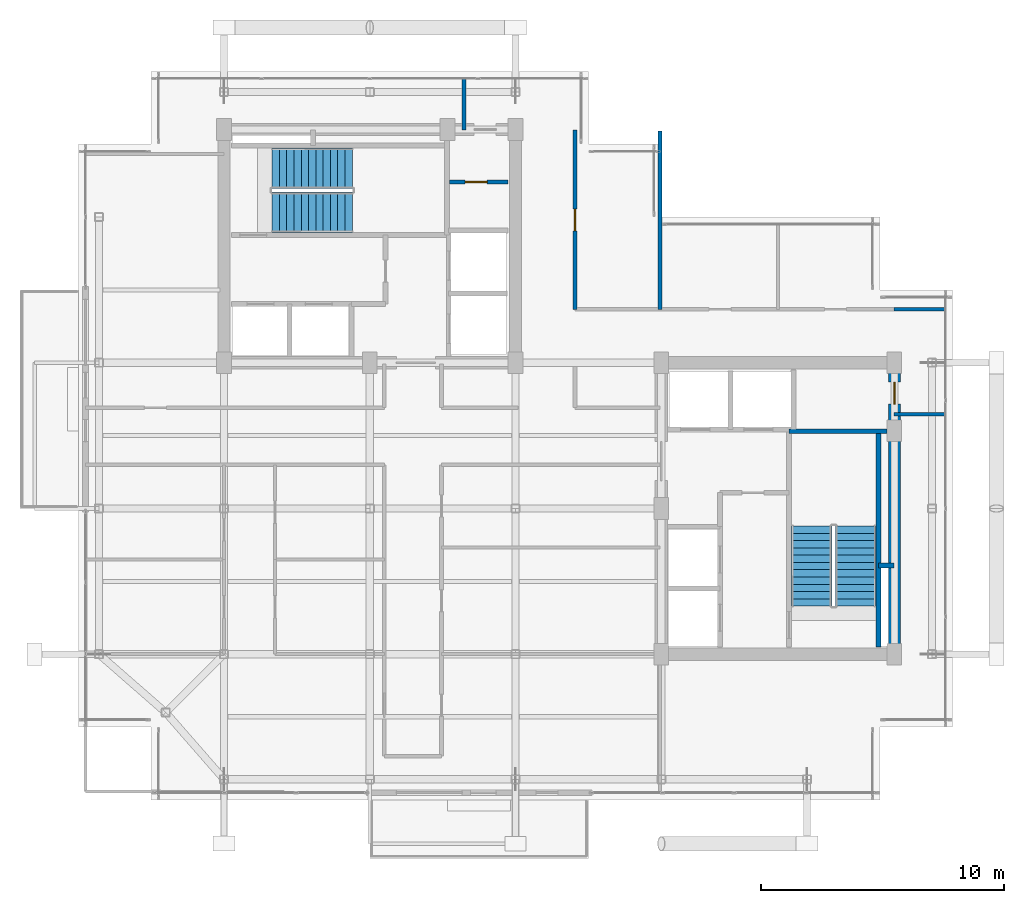
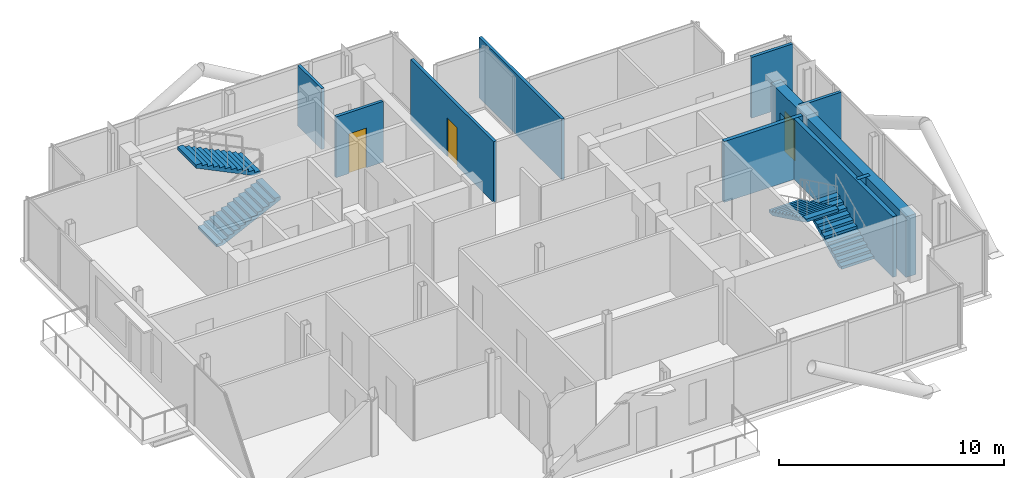
# One storey, part 16 of 18: 10 walls, 4 stair flights, 3 doors, 3 openings, 2 elements without a shape of their own.
"""IFC4 building model written with IfcOpenShell, lengths in metres."""

import ifcopenshell
import ifcopenshell.guid

model = None  # the IFC model being written
_history = None  # IfcOwnerHistory: only IFC2X3 demands one
_inside = {}  # id of a spatial element -> (the spatial element, [elements in it])
_under = {}  # id of a project, library or spatial element -> (it, [spatial elements below it])
_declared = {}  # id of a project -> (the project, [libraries it declares])
_typed = {}  # id of a type object -> (the type object, [elements of that type])
_made_of = {}  # id of a material, layer set ... -> (it, [elements and type objects made of it])


def new_model(schema):
    """Start an empty IFC model of exactly this schema.

    Asked for "IFC4X3", IfcOpenShell would pick the latest addendum, in which some entities
    have other attributes; the version numbers below select the first issue.
    IFC2X3 requires an IfcOwnerHistory on every rooted entity: one is made here for all.
    """
    global model, _history
    if schema == "IFC4X3":
        model = ifcopenshell.file(schema_version=(4, 3, 0, 0))
    else:
        model = ifcopenshell.file(schema=schema)
    _inside.clear()
    _under.clear()
    _declared.clear()
    _typed.clear()
    _made_of.clear()
    _history = None
    if model.schema == "IFC2X3":
        org = make("IfcOrganization", Name="unknown")
        user = make(
            "IfcPersonAndOrganization",
            ThePerson=make("IfcPerson", FamilyName="unknown"),
            TheOrganization=org,
        )
        app = make(
            "IfcApplication",
            ApplicationDeveloper=org,
            Version="unknown",
            ApplicationFullName="unknown",
            ApplicationIdentifier="unknown",
        )
        _history = make(
            "IfcOwnerHistory",
            OwningUser=user,
            OwningApplication=app,
            ChangeAction="ADDED",
            CreationDate=0,
        )
    return model


def make(cls, **values):
    """One entity of the class cls with the attributes given. An attribute that is None is left unset."""
    return model.create_entity(
        cls, **{name: value for name, value in values.items() if value is not None}
    )


def rooted(cls, **values):
    """An entity with a GlobalId (a new one), such as an element, a storey or a relation."""
    return make(cls, GlobalId=ifcopenshell.guid.new(), OwnerHistory=_history, **values)


def si_unit(unit_type, name, prefix=None):
    """IfcSIUnit, for example si_unit("LENGTHUNIT", "METRE", prefix="MILLI")."""
    return make("IfcSIUnit", UnitType=unit_type, Prefix=prefix, Name=name)


def assignment(units):
    """IfcUnitAssignment: the units of a project."""
    return None if units is None else make("IfcUnitAssignment", Units=units)


def point(xyz):
    """IfcCartesianPoint."""
    return None if xyz is None else make("IfcCartesianPoint", Coordinates=xyz)


def direction(xyz):
    """IfcDirection."""
    return None if xyz is None else make("IfcDirection", DirectionRatios=xyz)


def frame(location, z_axis=None, x_axis=None):
    """IfcAxis2Placement3D, a coordinate frame: its origin and axes. An axis left out is left unset."""
    return make(
        "IfcAxis2Placement3D",
        Location=point(location),
        Axis=direction(z_axis),
        RefDirection=direction(x_axis),
    )


def frame_2d(location, x_axis=None):
    """IfcAxis2Placement2D, a coordinate frame in the plane: its origin and x axis."""
    return make(
        "IfcAxis2Placement2D", Location=point(location), RefDirection=direction(x_axis)
    )


def origin():
    """The frame at (0, 0, 0) with its axes left unset."""
    return frame((0.0, 0.0, 0.0))


def place(relative_to, where):
    """IfcLocalPlacement: puts the frame where relative to a parent placement (None: the world)."""
    return make(
        "IfcLocalPlacement", PlacementRelTo=relative_to, RelativePlacement=where
    )


def context(
    kind, dimensions, precision=None, world=None, true_north=None, identifier=None
):
    """IfcGeometricRepresentationContext, for example the 3D "Model" context."""
    return make(
        "IfcGeometricRepresentationContext",
        ContextIdentifier=identifier,
        ContextType=kind,
        CoordinateSpaceDimension=dimensions,
        Precision=precision,
        WorldCoordinateSystem=world,
        TrueNorth=true_north,
    )


def subcontext(parent, identifier, kind, view, scale=None):
    """IfcGeometricRepresentationSubContext, for example "Body" below "Model"."""
    return make(
        "IfcGeometricRepresentationSubContext",
        ContextIdentifier=identifier,
        ContextType=kind,
        ParentContext=parent,
        TargetScale=scale,
        TargetView=view,
    )


def project(units=None, contexts=None):
    """IfcProject with its units and contexts."""
    return rooted(
        "IfcProject",
        Name="project",
        RepresentationContexts=contexts,
        UnitsInContext=assignment(units),
    )


def spatial(cls, under=None, at=None, **own):
    """A site, building, storey or space (cls), placed at a placement, below another one or the project."""
    s = rooted(cls, ObjectPlacement=at, **own)
    if under is not None:
        _under.setdefault(under.id(), (under, []))[1].append(s)
    return s


def polyline(points):
    """IfcPolyline through the points."""
    return make("IfcPolyline", Points=[point(p) for p in points])


def profile(cls, at=None, kind="AREA", **sizes):
    """A parametric profile (cls). Its sizes go by their IFC names, for example OverallWidth=200.0."""
    return make(cls, ProfileType=kind, Position=at, **sizes)


def rectangle(**sizes):
    """IfcRectangleProfileDef."""
    return profile("IfcRectangleProfileDef", **sizes)


def outline(outer, holes=None, kind="AREA"):
    """IfcArbitraryClosedProfileDef: a profile drawn as a closed curve; with holes, ...WithVoids."""
    if holes is None:
        return make("IfcArbitraryClosedProfileDef", ProfileType=kind, OuterCurve=outer)
    return make(
        "IfcArbitraryProfileDefWithVoids",
        ProfileType=kind,
        OuterCurve=outer,
        InnerCurves=holes,
    )


def extrude(swept, where, along, depth):
    """IfcExtrudedAreaSolid: the profile swept, set in the frame where, extruded along a direction by depth."""
    return make(
        "IfcExtrudedAreaSolid",
        SweptArea=swept,
        Position=where,
        ExtrudedDirection=direction(along),
        Depth=depth,
    )


def shape(context_of_items, identifier, shape_type, items):
    """IfcShapeRepresentation: the items that make up one representation, for example the "Body"."""
    return make(
        "IfcShapeRepresentation",
        ContextOfItems=context_of_items,
        RepresentationIdentifier=identifier,
        RepresentationType=shape_type,
        Items=items,
    )


def material(Name=None, Category=None):
    """IfcMaterial."""
    return make("IfcMaterial", Name=Name, Category=Category)


def layer(
    of_material, thickness, ventilated=None, Name=None, Category=None, Priority=None
):
    """IfcMaterialLayer: one layer of a wall or slab, of a material (None: an air gap)."""
    return make(
        "IfcMaterialLayer",
        Material=of_material,
        LayerThickness=thickness,
        IsVentilated=ventilated,
        Name=Name,
        Category=Category,
        Priority=Priority,
    )


def layer_set(layers, Name=None):
    """IfcMaterialLayerSet."""
    return make("IfcMaterialLayerSet", MaterialLayers=layers, LayerSetName=Name)


def made_of(thing, what):
    """Note that an element or type object is made of a material, layer set ...; save() writes the relation."""
    if what is not None:
        _made_of.setdefault(what.id(), (what, []))[1].append(thing)
    return thing


def type_object(cls, material=None, **own):
    """A type object (cls), such as IfcWallType, which elements share."""
    return made_of(rooted(cls, **own), material)


def element(
    cls,
    number,
    at=None,
    inside=None,
    cuts=None,
    type_object=None,
    material=None,
    context=None,
    identifier="Body",
    shape_type=None,
    held_by="IfcProductDefinitionShape",
    body=None,
    shapes=None,
    **own,
):
    """One element of the class cls, such as IfcWall. Its Tag is "e" and its number.

    at: its placement. inside: the storey or other place that contains it. cuts: it is an
    opening in that element (IfcRelVoidsElement). A single representation is given by context,
    identifier, shape_type and body (its items); several are given by shapes. held_by: the class
    of the entity that holds the representations. save() writes the other relations.
    """
    e = rooted(cls, Tag="e%d" % number, ObjectPlacement=at, **own)
    if body is not None:
        shapes = [shape(context, identifier, shape_type, body)]
    if shapes is not None:
        e.Representation = make(held_by, Representations=shapes)
    if inside is not None:
        _inside.setdefault(inside.id(), (inside, []))[1].append(e)
    if cuts is not None:
        rooted(
            "IfcRelVoidsElement", RelatingBuildingElement=cuts, RelatedOpeningElement=e
        )
    if type_object is not None:
        _typed.setdefault(type_object.id(), (type_object, []))[1].append(e)
    return made_of(e, material)


def fill(opening, filler):
    """IfcRelFillsElement: the door or window that sits in an opening."""
    return rooted(
        "IfcRelFillsElement",
        RelatingOpeningElement=opening,
        RelatedBuildingElement=filler,
    )


def aggregate(whole, parts):
    """IfcRelAggregates: a whole, such as a stair, and the parts it consists of."""
    return rooted("IfcRelAggregates", RelatingObject=whole, RelatedObjects=parts)


def save(model, path):
    """Write the relations noted so far, then the file.

    IfcRelAggregates (storeys below a building ...), IfcRelContainedInSpatialStructure (elements
    in a storey), IfcRelDefinesByType, IfcRelAssociatesMaterial and IfcRelDeclares: one each for
    every whole, place, type object, material and project.
    """
    for whole, parts in _under.values():
        aggregate(whole, parts)
    for where, things in _inside.values():
        rooted(
            "IfcRelContainedInSpatialStructure",
            RelatedElements=things,
            RelatingStructure=where,
        )
    for kind, things in _typed.values():
        rooted("IfcRelDefinesByType", RelatedObjects=things, RelatingType=kind)
    for what, things in _made_of.values():
        rooted("IfcRelAssociatesMaterial", RelatedObjects=things, RelatingMaterial=what)
    for by, libraries in _declared.values():
        rooted("IfcRelDeclares", RelatingContext=by, RelatedDefinitions=libraries)
    model.write(path)


model = new_model("IFC4")

# Units and contexts
model_context = context("Model", 3, precision=1e-05, world=origin(), true_north=direction((0.0, 1.0)))
body_context = subcontext(model_context, "Body", "Model", "MODEL_VIEW")
ifc_project = project(units=[si_unit("LENGTHUNIT", "METRE"), si_unit("AREAUNIT", "SQUARE_METRE"), si_unit("VOLUMEUNIT", "CUBIC_METRE"), si_unit("PLANEANGLEUNIT", "RADIAN"), si_unit("MASSUNIT", "GRAM", prefix="KILO"), si_unit("THERMODYNAMICTEMPERATUREUNIT", "KELVIN"), si_unit("POWERUNIT", "WATT")], contexts=[model_context])

# Site, building, storey
site_placement = place(None, origin())
site = spatial("IfcSite", under=ifc_project, at=site_placement, CompositionType="ELEMENT")
building_placement = place(site_placement, origin())
building = spatial("IfcBuilding", under=site, at=building_placement, Name="Svarakhadi Broadcast Tower", CompositionType="ELEMENT")
storey_placement = place(building_placement, frame((0.0, 0.0, 264.199951171875)))
storey = spatial("IfcBuildingStorey", under=building, at=storey_placement, Name="L66", CompositionType="ELEMENT", Elevation=264.199951171875)

# Wall
ifc_material_1 = material(Name="Concrete C40/50 (IS 456 M50)", Category="concrete")
ifc_layer_1 = layer(ifc_material_1, 0.199951171875)
ifc_layer_set_1 = layer_set([ifc_layer_1], Name="Concrete C40/50 (IS 456 M50)")
wall_type_1 = type_object("IfcWallType", Name="Wall_Fire_200", PredefinedType="SOLIDWALL", material=ifc_layer_set_1)
wall_1_placement = place(storey_placement, frame((32.93994140625, 9.659912109375, 0.0), z_axis=(0.0, 0.0, 1.0), x_axis=(1.0, 0.0, 0.0)))
element("IfcWall", 1, at=wall_1_placement, inside=storey, type_object=wall_type_1, Name="L66 HV Busduct Riser Shaft North Wall", PredefinedType="SOLIDWALL", context=body_context, shape_type="SweptSolid", body=[
    extrude(rectangle(XDim=0.64013671875, YDim=0.199951171875, at=frame_2d((0.320068359375, 0.0))), origin(), (0.0, 0.0, 1.0), 3.300048828125),
])

# Wall, opening, door
ifc_material_2 = material(Name="Autoclaved Aerated Concrete Blockwork 150 mm", Category="masonry")
ifc_layer_2 = layer(ifc_material_2, 0.14990234375)
ifc_layer_set_2 = layer_set([ifc_layer_2], Name="Autoclaved Aerated Concrete Blockwork 150 mm")
wall_type_2 = type_object("IfcWallType", Name="Wall_Part_150", PredefinedType="PARTITIONING", material=ifc_layer_set_2)
wall_2_placement = place(storey_placement, frame((15.280029296875, 25.43994140625, 0.0), z_axis=(0.0, 0.0, 1.0), x_axis=(1.0, 0.0, 0.0)))
wall_2 = element("IfcWall", 2, at=wall_2_placement, inside=storey, type_object=wall_type_2, Name="L66 West Core Service Split Wall", PredefinedType="PARTITIONING", context=body_context, shape_type="SweptSolid", body=[
    extrude(rectangle(XDim=2.419921875, YDim=0.14990234375, at=frame_2d((1.2099609375, 0.0))), origin(), (0.0, 0.0, 1.0), 3.300048828125),
])
opening_1_placement = place(wall_2_placement, frame((0.64990234375, 0.0, 0.0)))
opening_1 = element("IfcOpeningElement", 3, at=opening_1_placement, cuts=wall_2, Name="Opening D-03", PredefinedType="OPENING", context=body_context, shape_type="SweptSolid", body=[
    extrude(rectangle(XDim=0.89990234375, YDim=2.14990234375, at=frame_2d((0.449951171875, 1.074951171875))), frame((0.0, 0.0849609375, 0.0), z_axis=(0.0, -1.0, 0.0), x_axis=(1.0, 0.0, 0.0)), (0.0, 0.0, 1.0), 0.169921875),
])
ifc_material_3 = material(Name="Galvanised Powder-Coated Fire-Rated Steel Leaf", Category="steel")
door_type_1 = type_object("IfcDoorType", Name="Door_Fire_D03", OperationType="SINGLE_SWING_LEFT", PredefinedType="DOOR", material=ifc_material_3)
door_1_placement = place(opening_1_placement, origin())
door_1 = element("IfcDoor", 4, at=door_1_placement, inside=storey, type_object=door_type_1, Name="L66 West Core Inner Store Door", OperationType="SINGLE_SWING_LEFT", OverallHeight=2.14990234375, OverallWidth=0.89990234375, PredefinedType="DOOR", context=body_context, shape_type="SweptSolid", body=[
    extrude(rectangle(XDim=0.89990234375, YDim=2.14990234375, at=frame_2d((0.449951171875, 1.074951171875))), frame((0.0, 0.02490234375, 0.0), z_axis=(0.0, -1.0, 0.0), x_axis=(1.0, 0.0, 0.0)), (0.0, 0.0, 1.0), 0.050048828125),
])
fill(opening_1, door_1)

# Wall
wall_3_placement = place(storey_placement, frame((15.8798828125, 27.580078125, 0.0), z_axis=(0.0, 0.0, 1.0), x_axis=(0.0, 1.0, 0.0)))
element("IfcWall", 5, at=wall_3_placement, inside=storey, type_object=wall_type_2, Name="L66 Upper Tower Concourse Wall", PredefinedType="PARTITIONING", context=body_context, shape_type="SweptSolid", body=[
    extrude(rectangle(XDim=2.119873046875, YDim=0.14990234375, at=frame_2d((1.06005859375, 0.0))), origin(), (0.0, 0.0, 1.0), 3.300048828125),
])

# Wall, opening, door
wall_4_placement = place(storey_placement, frame((20.449951171875, 27.580078125, 0.0), z_axis=(0.0, 0.0, 1.0), x_axis=(0.0, -1.0, 0.0)))
wall_4 = element("IfcWall", 6, at=wall_4_placement, inside=storey, type_object=wall_type_2, Name="L66 Upper Tower Concourse Wall", PredefinedType="PARTITIONING", context=body_context, shape_type="SweptSolid", body=[
    extrude(rectangle(XDim=7.380126953125, YDim=0.14990234375, at=frame_2d((3.68994140625, 0.0))), origin(), (0.0, 0.0, 1.0), 3.300048828125),
])
opening_2_placement = place(wall_4_placement, frame((3.2548828125, 0.0, 0.0)))
opening_2 = element("IfcOpeningElement", 7, at=opening_2_placement, cuts=wall_4, Name="Opening D-13", PredefinedType="OPENING", context=body_context, shape_type="SweptSolid", body=[
    extrude(rectangle(XDim=0.89990234375, YDim=2.10009765625, at=frame_2d((0.449951171875, 1.050048828125))), frame((0.0, 0.0849609375, 0.0), z_axis=(0.0, -1.0, 0.0), x_axis=(1.0, 0.0, 0.0)), (0.0, 0.0, 1.0), 0.169921875),
])
ifc_material_4 = material(Name="Solid-Core Teak Veneer Acoustic Timber Leaf", Category="wood")
door_type_2 = type_object("IfcDoorType", Name="Door_Closet_D13", OperationType="SINGLE_SWING_RIGHT", PredefinedType="DOOR", material=ifc_material_4)
door_2_placement = place(opening_2_placement, origin())
door_2 = element("IfcDoor", 8, at=door_2_placement, inside=storey, type_object=door_type_2, Name="L66 Accessible Visitor Washroom WC Door", OperationType="SINGLE_SWING_RIGHT", OverallHeight=2.10009765625, OverallWidth=0.89990234375, PredefinedType="DOOR", context=body_context, shape_type="SweptSolid", body=[
    extrude(rectangle(XDim=0.89990234375, YDim=2.10009765625, at=frame_2d((0.449951171875, 1.050048828125))), frame((0.0, 0.02490234375, 0.0), z_axis=(0.0, -1.0, 0.0), x_axis=(1.0, 0.0, 0.0)), (0.0, 0.0, 1.0), 0.050048828125),
])
fill(opening_2, door_2)

# Walls
for number, where, z_axis, x_axis, name in (
    (9, (33.580078125, 20.199951171875, 0.0), (0.0, 0.0, 1.0), (1.0, 0.0, 0.0), "L66 Upper Tower Concourse Wall"),
    (10, (35.699951171875, 15.8798828125, 0.0), (0.0, 0.0, 1.0), (-1.0, 0.0, 0.0), "L66 Upper Tower Concourse Wall"),
):
    element("IfcWall", number, at=place(storey_placement, frame(where, z_axis=z_axis, x_axis=x_axis)), inside=storey, type_object=wall_type_2, Name=name, PredefinedType="PARTITIONING", context=body_context, shape_type="SweptSolid", body=[
        extrude(rectangle(XDim=2.119873046875, YDim=0.14990234375, at=frame_2d((1.06005859375, 0.0))), origin(), (0.0, 0.0, 1.0), 3.300048828125),
    ])
wall_5_placement = place(storey_placement, frame((23.949951171875, 20.199951171875, 0.0), z_axis=(0.0, 0.0, 1.0), x_axis=(0.0, 1.0, 0.0)))
element("IfcWall", 11, at=wall_5_placement, inside=storey, type_object=wall_type_2, Name="L66 Accessible Visitor Washroom WC Wall", PredefinedType="PARTITIONING", context=body_context, shape_type="SweptSolid", body=[
    extrude(rectangle(XDim=7.35009765625, YDim=0.14990234375, at=frame_2d((3.675048828125, 0.0))), origin(), (0.0, 0.0, 1.0), 3.300048828125),
])
ifc_material_5 = material(Name="Concrete C50/60 (IS 456 M60)", Category="concrete")
ifc_layer_3 = layer(ifc_material_5, 0.199951171875)
ifc_layer_set_3 = layer_set([ifc_layer_3], Name="Concrete C50/60 (IS 456 M60)")
wall_type_3 = type_object("IfcWallType", Name="Wall_Shear_200", PredefinedType="SHEAR", material=ifc_layer_set_3)
wall_6_placement = place(storey_placement, frame((32.93994140625, 6.300048828125, 0.0), z_axis=(0.0, 0.0, 1.0), x_axis=(0.0, 1.0, 0.0)))
element("IfcWall", 12, at=wall_6_placement, inside=storey, type_object=wall_type_3, Name="L66 Stair ST-02 East RC Shaft Wall", PredefinedType="SHEAR", context=body_context, shape_type="SweptSolid", body=[
    extrude(rectangle(XDim=8.8798828125, YDim=0.199951171875, at=frame_2d((4.43994140625, 0.0))), origin(), (0.0, 0.0, 1.0), 3.300048828125),
])
wall_7_placement = place(storey_placement, frame((29.260009765625, 15.179931640625, 0.0), z_axis=(0.0, 0.0, 1.0), x_axis=(1.0, 0.0, 0.0)))
element("IfcWall", 13, at=wall_7_placement, inside=storey, type_object=wall_type_3, Name="L66 Stair ST-02 North RC Shaft Wall", PredefinedType="SHEAR", context=body_context, shape_type="SweptSolid", body=[
    extrude(rectangle(XDim=4.0400390625, YDim=0.199951171875, at=frame_2d((2.02001953125, 0.0))), origin(), (0.0, 0.0, 1.0), 3.300048828125),
])

# Wall, opening, door
ifc_layer_4 = layer(ifc_material_5, 0.5)
ifc_layer_set_4 = layer_set([ifc_layer_4], Name="Concrete C50/60 (IS 456 M60)")
wall_type_4 = type_object("IfcWallType", Name="Wall_Shear_500", PredefinedType="SHEAR", material=ifc_layer_set_4)
wall_8_placement = place(storey_placement, frame((33.60009765625, 6.0, 0.0), z_axis=(0.0, 0.0, 1.0), x_axis=(0.0, 1.0, 0.0)))
wall_8 = element("IfcWall", 14, at=wall_8_placement, inside=storey, type_object=wall_type_4, Name="L66 East Core East Shear Wall", PredefinedType="SHEAR", context=body_context, shape_type="SweptSolid", body=[
    extrude(rectangle(XDim=12.0, YDim=0.5, at=frame_2d((6.0, 0.0))), origin(), (0.0, 0.0, 1.0), 3.300048828125),
])
opening_3_placement = place(wall_8_placement, frame((10.300048828125, 0.0, 0.0)))
opening_3 = element("IfcOpeningElement", 15, at=opening_3_placement, cuts=wall_8, Name="Opening D-03", PredefinedType="OPENING", context=body_context, shape_type="SweptSolid", body=[
    extrude(rectangle(XDim=0.89990234375, YDim=2.14990234375, at=frame_2d((0.449951171875, 1.074951171875))), frame((0.0, 0.260009765625, 0.0), z_axis=(0.0, -1.0, 0.0), x_axis=(1.0, 0.0, 0.0)), (0.0, 0.0, 1.0), 0.52001953125),
])
door_3_placement = place(opening_3_placement, origin())
door_3 = element("IfcDoor", 16, at=door_3_placement, inside=storey, type_object=door_type_1, Name="L66 East Core Service Store Door", OperationType="SINGLE_SWING_LEFT", OverallHeight=2.14990234375, OverallWidth=0.89990234375, PredefinedType="DOOR", context=body_context, shape_type="SweptSolid", body=[
    extrude(rectangle(XDim=0.89990234375, YDim=2.14990234375, at=frame_2d((0.449951171875, 1.074951171875))), frame((0.0, 0.02490234375, 0.0), z_axis=(0.0, -1.0, 0.0), x_axis=(1.0, 0.0, 0.0)), (0.0, 0.0, 1.0), 0.050048828125),
])
fill(opening_3, door_3)

# Stair, stair flights
stair_type = type_object("IfcStairType", Name="Stair_Exit_Core", PredefinedType="HALF_TURN_STAIR", material=ifc_material_1)
stair_1_placement = place(storey_placement, origin())
stair_1 = element("IfcStair", 17, at=stair_1_placement, inside=storey, type_object=stair_type, Name="L66 West Core Protected Exit Stair ST-01", PredefinedType="HALF_TURN_STAIR")
stair_flight_type = type_object("IfcStairFlightType", Name="Flight_RC_1680", PredefinedType="STRAIGHT", material=ifc_material_1)
stair_flight_1_placement = place(storey_placement, frame((7.97998046875, 24.18994140625, 0.0), z_axis=(0.0, 0.0, 1.0), x_axis=(1.0, 0.0, 0.0)))
stair_flight_1 = element("IfcStairFlight", 18, at=stair_flight_1_placement, type_object=stair_flight_type, Name="ST-01 flight 1", NumberOfRisers=12, NumberOfTreads=11, PredefinedType="STRAIGHT", RiserHeight=0.145833333, TreadLength=0.3, context=body_context, shape_type="SweptSolid", body=[
    extrude(outline(polyline([(0.0, 0.0), (0.0, 0.145751953125), (0.300048828125, 0.145751953125), (0.300048828125, 0.291748046875), (0.60009765625, 0.291748046875), (0.60009765625, 0.4375), (0.89990234375, 0.4375), (0.89990234375, 0.583251953125), (1.199951171875, 0.583251953125), (1.199951171875, 0.729248046875), (1.5, 0.729248046875), (1.5, 0.875), (1.800048828125, 0.875), (1.800048828125, 1.020751953125), (2.10009765625, 1.020751953125), (2.10009765625, 1.166748046875), (2.39990234375, 1.166748046875), (2.39990234375, 1.3125), (2.699951171875, 1.3125), (2.699951171875, 1.458251953125), (3.0, 1.458251953125), (3.0, 1.604248046875), (3.300048828125, 1.604248046875), (3.300048828125, 1.75), (3.300048828125, 1.4375), (0.3427734375, 0.0), (0.0, 0.0)])), frame((0.0, 0.830078125, 0.0), z_axis=(0.0, -1.0, 0.0), x_axis=(1.0, 0.0, 0.0)), (0.0, 0.0, 1.0), 1.659912109375),
])
stair_flight_2_placement = place(storey_placement, frame((11.280029296875, 26.010009765625, 1.75), z_axis=(0.0, 0.0, 1.0), x_axis=(-1.0, 0.0, 0.0)))
stair_flight_2 = element("IfcStairFlight", 19, at=stair_flight_2_placement, type_object=stair_flight_type, Name="ST-01 flight 2", NumberOfRisers=12, NumberOfTreads=11, PredefinedType="STRAIGHT", RiserHeight=0.145833333, TreadLength=0.3, context=body_context, shape_type="SweptSolid", body=[
    extrude(outline(polyline([(0.0, 0.0), (0.0, 0.145751953125), (0.300048828125, 0.145751953125), (0.300048828125, 0.291748046875), (0.60009765625, 0.291748046875), (0.60009765625, 0.4375), (0.89990234375, 0.4375), (0.89990234375, 0.583251953125), (1.199951171875, 0.583251953125), (1.199951171875, 0.729248046875), (1.5, 0.729248046875), (1.5, 0.875), (1.800048828125, 0.875), (1.800048828125, 1.020751953125), (2.10009765625, 1.020751953125), (2.10009765625, 1.166748046875), (2.39990234375, 1.166748046875), (2.39990234375, 1.3125), (2.699951171875, 1.3125), (2.699951171875, 1.458251953125), (3.0, 1.458251953125), (3.0, 1.604248046875), (3.300048828125, 1.604248046875), (3.300048828125, 1.75), (3.300048828125, 1.4375), (0.3427734375, 0.0), (0.0, 0.0)])), frame((0.0, 0.830078125, 0.0), z_axis=(0.0, -1.0, 0.0), x_axis=(1.0, 0.0, 0.0)), (0.0, 0.0, 1.0), 1.659912109375),
])
aggregate(stair_1, [stair_flight_1, stair_flight_2])

stair_2_placement = place(storey_placement, origin())
stair_2 = element("IfcStair", 20, at=stair_2_placement, inside=storey, type_object=stair_type, Name="L66 East Core Protected Exit Stair ST-02", PredefinedType="HALF_TURN_STAIR")
stair_flight_3_placement = place(storey_placement, frame((32.010009765625, 7.97998046875, 0.0), z_axis=(0.0, 0.0, 1.0), x_axis=(0.0, 1.0, 0.0)))
stair_flight_3 = element("IfcStairFlight", 21, at=stair_flight_3_placement, type_object=stair_flight_type, Name="ST-02 flight 1", NumberOfRisers=12, NumberOfTreads=11, PredefinedType="STRAIGHT", RiserHeight=0.145833333, TreadLength=0.3, context=body_context, shape_type="SweptSolid", body=[
    extrude(outline(polyline([(0.0, 0.0), (0.0, 0.145751953125), (0.300048828125, 0.145751953125), (0.300048828125, 0.291748046875), (0.60009765625, 0.291748046875), (0.60009765625, 0.4375), (0.89990234375, 0.4375), (0.89990234375, 0.583251953125), (1.199951171875, 0.583251953125), (1.199951171875, 0.729248046875), (1.5, 0.729248046875), (1.5, 0.875), (1.800048828125, 0.875), (1.800048828125, 1.020751953125), (2.10009765625, 1.020751953125), (2.10009765625, 1.166748046875), (2.39990234375, 1.166748046875), (2.39990234375, 1.3125), (2.699951171875, 1.3125), (2.699951171875, 1.458251953125), (3.0, 1.458251953125), (3.0, 1.604248046875), (3.300048828125, 1.604248046875), (3.300048828125, 1.75), (3.300048828125, 1.4375), (0.3427734375, 0.0), (0.0, 0.0)])), frame((0.0, 0.830078125, 0.0), z_axis=(0.0, -1.0, 0.0), x_axis=(1.0, 0.0, 0.0)), (0.0, 0.0, 1.0), 1.659912109375),
])
stair_flight_4_placement = place(storey_placement, frame((30.18994140625, 11.280029296875, 1.75), z_axis=(0.0, 0.0, 1.0), x_axis=(0.0, -1.0, 0.0)))
stair_flight_4 = element("IfcStairFlight", 22, at=stair_flight_4_placement, type_object=stair_flight_type, Name="ST-02 flight 2", NumberOfRisers=12, NumberOfTreads=11, PredefinedType="STRAIGHT", RiserHeight=0.145833333, TreadLength=0.3, context=body_context, shape_type="SweptSolid", body=[
    extrude(outline(polyline([(0.0, 0.0), (0.0, 0.145751953125), (0.300048828125, 0.145751953125), (0.300048828125, 0.291748046875), (0.60009765625, 0.291748046875), (0.60009765625, 0.4375), (0.89990234375, 0.4375), (0.89990234375, 0.583251953125), (1.199951171875, 0.583251953125), (1.199951171875, 0.729248046875), (1.5, 0.729248046875), (1.5, 0.875), (1.800048828125, 0.875), (1.800048828125, 1.020751953125), (2.10009765625, 1.020751953125), (2.10009765625, 1.166748046875), (2.39990234375, 1.166748046875), (2.39990234375, 1.3125), (2.699951171875, 1.3125), (2.699951171875, 1.458251953125), (3.0, 1.458251953125), (3.0, 1.604248046875), (3.300048828125, 1.604248046875), (3.300048828125, 1.75), (3.300048828125, 1.4375), (0.3427734375, 0.0), (0.0, 0.0)])), frame((0.0, 0.830078125, 0.0), z_axis=(0.0, -1.0, 0.0), x_axis=(1.0, 0.0, 0.0)), (0.0, 0.0, 1.0), 1.659912109375),
])
aggregate(stair_2, [stair_flight_3, stair_flight_4])

save(model, "model.ifc")
